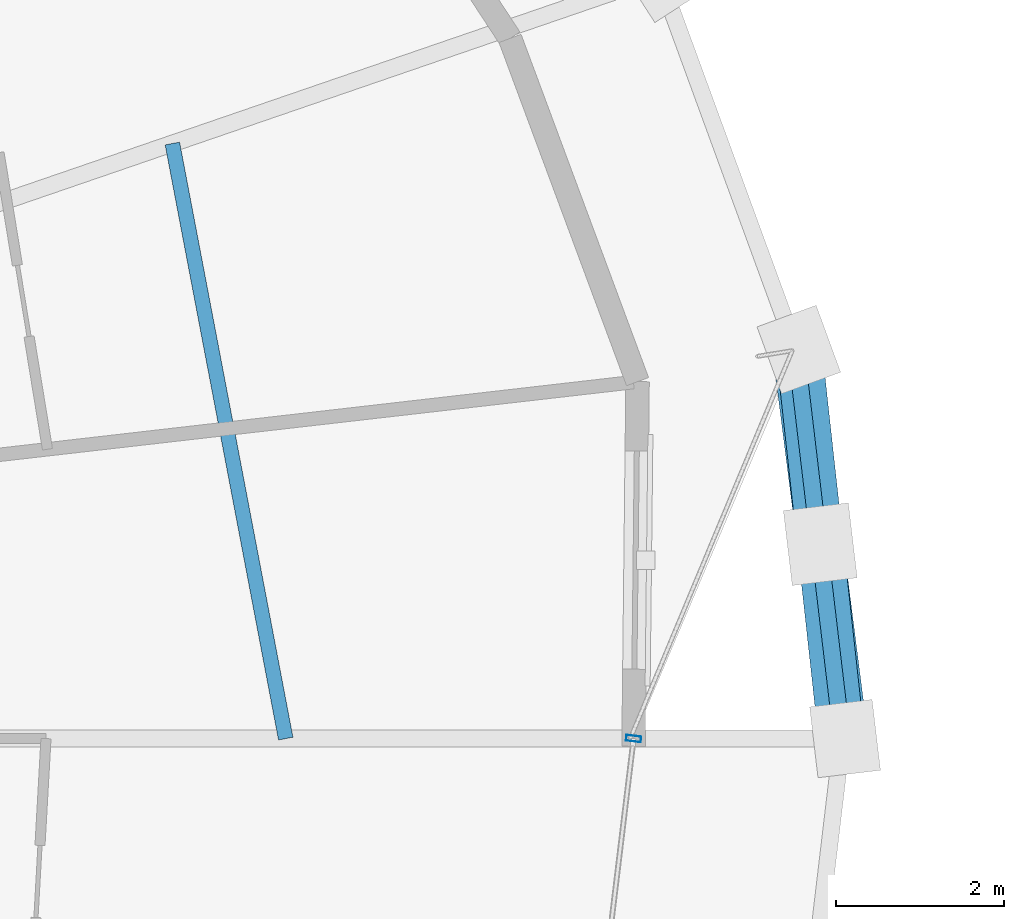
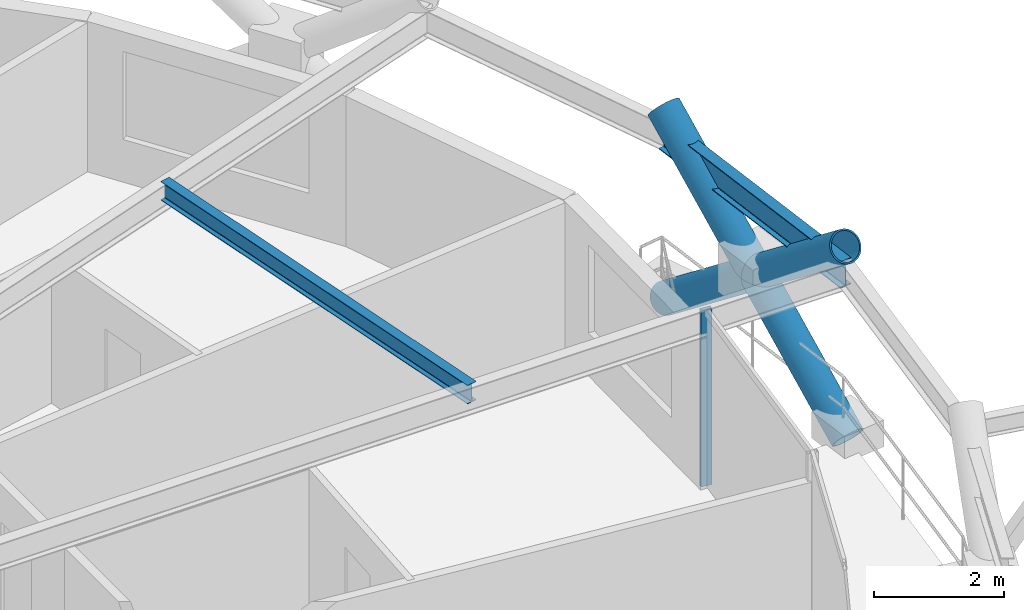
# One storey, part 11 of 21: 4 members, 2 beams, 1 element without a shape of its own.
"""IFC4 building model written with IfcOpenShell, lengths in metres."""

import ifcopenshell
import ifcopenshell.guid

model = None  # the IFC model being written
_history = None  # IfcOwnerHistory: only IFC2X3 demands one
_inside = {}  # id of a spatial element -> (the spatial element, [elements in it])
_under = {}  # id of a project, library or spatial element -> (it, [spatial elements below it])
_declared = {}  # id of a project -> (the project, [libraries it declares])
_typed = {}  # id of a type object -> (the type object, [elements of that type])
_made_of = {}  # id of a material, layer set ... -> (it, [elements and type objects made of it])


def new_model(schema):
    """Start an empty IFC model of exactly this schema.

    Asked for "IFC4X3", IfcOpenShell would pick the latest addendum, in which some entities
    have other attributes; the version numbers below select the first issue.
    IFC2X3 requires an IfcOwnerHistory on every rooted entity: one is made here for all.
    """
    global model, _history
    if schema == "IFC4X3":
        model = ifcopenshell.file(schema_version=(4, 3, 0, 0))
    else:
        model = ifcopenshell.file(schema=schema)
    _inside.clear()
    _under.clear()
    _declared.clear()
    _typed.clear()
    _made_of.clear()
    _history = None
    if model.schema == "IFC2X3":
        org = make("IfcOrganization", Name="unknown")
        user = make(
            "IfcPersonAndOrganization",
            ThePerson=make("IfcPerson", FamilyName="unknown"),
            TheOrganization=org,
        )
        app = make(
            "IfcApplication",
            ApplicationDeveloper=org,
            Version="unknown",
            ApplicationFullName="unknown",
            ApplicationIdentifier="unknown",
        )
        _history = make(
            "IfcOwnerHistory",
            OwningUser=user,
            OwningApplication=app,
            ChangeAction="ADDED",
            CreationDate=0,
        )
    return model


def make(cls, **values):
    """One entity of the class cls with the attributes given. An attribute that is None is left unset."""
    return model.create_entity(
        cls, **{name: value for name, value in values.items() if value is not None}
    )


def rooted(cls, **values):
    """An entity with a GlobalId (a new one), such as an element, a storey or a relation."""
    return make(cls, GlobalId=ifcopenshell.guid.new(), OwnerHistory=_history, **values)


def si_unit(unit_type, name, prefix=None):
    """IfcSIUnit, for example si_unit("LENGTHUNIT", "METRE", prefix="MILLI")."""
    return make("IfcSIUnit", UnitType=unit_type, Prefix=prefix, Name=name)


def assignment(units):
    """IfcUnitAssignment: the units of a project."""
    return None if units is None else make("IfcUnitAssignment", Units=units)


def point(xyz):
    """IfcCartesianPoint."""
    return None if xyz is None else make("IfcCartesianPoint", Coordinates=xyz)


def direction(xyz):
    """IfcDirection."""
    return None if xyz is None else make("IfcDirection", DirectionRatios=xyz)


def frame(location, z_axis=None, x_axis=None):
    """IfcAxis2Placement3D, a coordinate frame: its origin and axes. An axis left out is left unset."""
    return make(
        "IfcAxis2Placement3D",
        Location=point(location),
        Axis=direction(z_axis),
        RefDirection=direction(x_axis),
    )


def frame_2d(location, x_axis=None):
    """IfcAxis2Placement2D, a coordinate frame in the plane: its origin and x axis."""
    return make(
        "IfcAxis2Placement2D", Location=point(location), RefDirection=direction(x_axis)
    )


def origin():
    """The frame at (0, 0, 0) with its axes left unset."""
    return frame((0.0, 0.0, 0.0))


def origin_2d():
    """The frame at (0, 0) in the plane with its x axis left unset."""
    return frame_2d((0.0, 0.0))


def place(relative_to, where):
    """IfcLocalPlacement: puts the frame where relative to a parent placement (None: the world)."""
    return make(
        "IfcLocalPlacement", PlacementRelTo=relative_to, RelativePlacement=where
    )


def context(
    kind, dimensions, precision=None, world=None, true_north=None, identifier=None
):
    """IfcGeometricRepresentationContext, for example the 3D "Model" context."""
    return make(
        "IfcGeometricRepresentationContext",
        ContextIdentifier=identifier,
        ContextType=kind,
        CoordinateSpaceDimension=dimensions,
        Precision=precision,
        WorldCoordinateSystem=world,
        TrueNorth=true_north,
    )


def subcontext(parent, identifier, kind, view, scale=None):
    """IfcGeometricRepresentationSubContext, for example "Body" below "Model"."""
    return make(
        "IfcGeometricRepresentationSubContext",
        ContextIdentifier=identifier,
        ContextType=kind,
        ParentContext=parent,
        TargetScale=scale,
        TargetView=view,
    )


def project(units=None, contexts=None):
    """IfcProject with its units and contexts."""
    return rooted(
        "IfcProject",
        Name="project",
        RepresentationContexts=contexts,
        UnitsInContext=assignment(units),
    )


def spatial(cls, under=None, at=None, **own):
    """A site, building, storey or space (cls), placed at a placement, below another one or the project."""
    s = rooted(cls, ObjectPlacement=at, **own)
    if under is not None:
        _under.setdefault(under.id(), (under, []))[1].append(s)
    return s


def profile(cls, at=None, kind="AREA", **sizes):
    """A parametric profile (cls). Its sizes go by their IFC names, for example OverallWidth=200.0."""
    return make(cls, ProfileType=kind, Position=at, **sizes)


def hollow_rectangle(**sizes):
    """IfcRectangleHollowProfileDef."""
    return profile("IfcRectangleHollowProfileDef", **sizes)


def hollow_circle(**sizes):
    """IfcCircleHollowProfileDef."""
    return profile("IfcCircleHollowProfileDef", **sizes)


def i_section(**sizes):
    """IfcIShapeProfileDef."""
    return profile("IfcIShapeProfileDef", **sizes)


def extrude(swept, where, along, depth):
    """IfcExtrudedAreaSolid: the profile swept, set in the frame where, extruded along a direction by depth."""
    return make(
        "IfcExtrudedAreaSolid",
        SweptArea=swept,
        Position=where,
        ExtrudedDirection=direction(along),
        Depth=depth,
    )


def shape(context_of_items, identifier, shape_type, items):
    """IfcShapeRepresentation: the items that make up one representation, for example the "Body"."""
    return make(
        "IfcShapeRepresentation",
        ContextOfItems=context_of_items,
        RepresentationIdentifier=identifier,
        RepresentationType=shape_type,
        Items=items,
    )


def material(Name=None, Category=None):
    """IfcMaterial."""
    return make("IfcMaterial", Name=Name, Category=Category)


def layer(
    of_material, thickness, ventilated=None, Name=None, Category=None, Priority=None
):
    """IfcMaterialLayer: one layer of a wall or slab, of a material (None: an air gap)."""
    return make(
        "IfcMaterialLayer",
        Material=of_material,
        LayerThickness=thickness,
        IsVentilated=ventilated,
        Name=Name,
        Category=Category,
        Priority=Priority,
    )


def layer_set(layers, Name=None):
    """IfcMaterialLayerSet."""
    return make("IfcMaterialLayerSet", MaterialLayers=layers, LayerSetName=Name)


def material_profile(
    of_material, cross_section, Name=None, Category=None, Priority=None
):
    """IfcMaterialProfile: a cross section and its material."""
    return make(
        "IfcMaterialProfile",
        Name=Name,
        Material=of_material,
        Profile=cross_section,
        Priority=Priority,
        Category=Category,
    )


def profile_set(profiles, Name=None, composite=None):
    """IfcMaterialProfileSet."""
    return make(
        "IfcMaterialProfileSet",
        Name=Name,
        MaterialProfiles=profiles,
        CompositeProfile=composite,
    )


def made_of(thing, what):
    """Note that an element or type object is made of a material, layer set ...; save() writes the relation."""
    if what is not None:
        _made_of.setdefault(what.id(), (what, []))[1].append(thing)
    return thing


def type_object(cls, material=None, **own):
    """A type object (cls), such as IfcWallType, which elements share."""
    return made_of(rooted(cls, **own), material)


def element(
    cls,
    number,
    at=None,
    inside=None,
    cuts=None,
    type_object=None,
    material=None,
    context=None,
    identifier="Body",
    shape_type=None,
    held_by="IfcProductDefinitionShape",
    body=None,
    shapes=None,
    **own,
):
    """One element of the class cls, such as IfcWall. Its Tag is "e" and its number.

    at: its placement. inside: the storey or other place that contains it. cuts: it is an
    opening in that element (IfcRelVoidsElement). A single representation is given by context,
    identifier, shape_type and body (its items); several are given by shapes. held_by: the class
    of the entity that holds the representations. save() writes the other relations.
    """
    e = rooted(cls, Tag="e%d" % number, ObjectPlacement=at, **own)
    if body is not None:
        shapes = [shape(context, identifier, shape_type, body)]
    if shapes is not None:
        e.Representation = make(held_by, Representations=shapes)
    if inside is not None:
        _inside.setdefault(inside.id(), (inside, []))[1].append(e)
    if cuts is not None:
        rooted(
            "IfcRelVoidsElement", RelatingBuildingElement=cuts, RelatedOpeningElement=e
        )
    if type_object is not None:
        _typed.setdefault(type_object.id(), (type_object, []))[1].append(e)
    return made_of(e, material)


def aggregate(whole, parts):
    """IfcRelAggregates: a whole, such as a stair, and the parts it consists of."""
    return rooted("IfcRelAggregates", RelatingObject=whole, RelatedObjects=parts)


def save(model, path):
    """Write the relations noted so far, then the file.

    IfcRelAggregates (storeys below a building ...), IfcRelContainedInSpatialStructure (elements
    in a storey), IfcRelDefinesByType, IfcRelAssociatesMaterial and IfcRelDeclares: one each for
    every whole, place, type object, material and project.
    """
    for whole, parts in _under.values():
        aggregate(whole, parts)
    for where, things in _inside.values():
        rooted(
            "IfcRelContainedInSpatialStructure",
            RelatedElements=things,
            RelatingStructure=where,
        )
    for kind, things in _typed.values():
        rooted("IfcRelDefinesByType", RelatedObjects=things, RelatingType=kind)
    for what, things in _made_of.values():
        rooted("IfcRelAssociatesMaterial", RelatedObjects=things, RelatingMaterial=what)
    for by, libraries in _declared.values():
        rooted("IfcRelDeclares", RelatingContext=by, RelatedDefinitions=libraries)
    model.write(path)


model = new_model("IFC4")

# Units and contexts
model_context = context("Model", 3, precision=1e-05, world=origin(), true_north=direction((0.0, 1.0)))
body_context = subcontext(model_context, "Body", "Model", "MODEL_VIEW")
ifc_project = project(units=[si_unit("LENGTHUNIT", "METRE"), si_unit("AREAUNIT", "SQUARE_METRE"), si_unit("VOLUMEUNIT", "CUBIC_METRE"), si_unit("PLANEANGLEUNIT", "RADIAN"), si_unit("MASSUNIT", "GRAM", prefix="KILO")], contexts=[model_context])

# Site, building, storey
site_placement = place(None, origin())
site = spatial("IfcSite", under=ifc_project, at=site_placement, CompositionType="ELEMENT")
building_placement = place(site_placement, origin())
building = spatial("IfcBuilding", under=site, at=building_placement, Name="Veldorina Hangang Commons", CompositionType="ELEMENT")
storey_placement = place(building_placement, frame((0.0, 0.0, 120.800048828125)))
storey = spatial("IfcBuildingStorey", under=building, at=storey_placement, Name="L30", CompositionType="ELEMENT", Elevation=120.800048828125)

# Beams
ifc_material_1 = material(Name="Steel SM355-TMC", Category="steel")
ifc_material_profile_1 = material_profile(ifc_material_1, i_section(OverallWidth=0.175048828125, OverallDepth=0.35009765625, WebThickness=0.007080078125, FlangeThickness=0.010986328125, FilletRadius=0.012939453125, at=origin_2d()), Name="H-350x175x7x11")
ifc_profile_set_1 = profile_set([ifc_material_profile_1], Name="Steel SM355-TMC")
beam_type_1 = type_object("IfcBeamType", Name="BM-JST350", PredefinedType="JOIST", material=ifc_profile_set_1)
beam_1_placement = place(storey_placement, frame((54.00048828125, 24.0, 3.175048828125), z_axis=(-0.187160275912, 0.982329390337, 0.0), x_axis=(-0.982329390337, -0.187160275912, 0.0)))
element("IfcBeam", 1, at=beam_1_placement, inside=storey, type_object=beam_type_1, Name="L30 secondary floor joist 01", PredefinedType="JOIST", context=body_context, shape_type="SweptSolid", body=[
    extrude(i_section(OverallWidth=0.175048828125, OverallDepth=0.35009765625, WebThickness=0.007080078125, FlangeThickness=0.010986328125, FilletRadius=0.012939453125, at=origin_2d()), origin(), (0.0, 0.0, 1.0), 7.22021484375),
])
ifc_material_2 = material(Name="Steel SM420-TMC", Category="steel")
ifc_material_profile_2 = material_profile(ifc_material_2, i_section(OverallWidth=0.199951171875, OverallDepth=0.5, WebThickness=0.010009765625, FlangeThickness=0.01611328125, FilletRadius=0.01611328125, at=origin_2d()), Name="H-500x200x10x16")
ifc_profile_set_2 = profile_set([ifc_material_profile_2], Name="Steel SM420-TMC")
beam_type_2 = type_object("IfcBeamType", Name="BM-RB500", PredefinedType="BEAM", material=ifc_profile_set_2)
beam_2_placement = place(storey_placement, frame((60.632080078125, 24.0, 3.099853515625), z_axis=(-0.117919214174, 0.993023191536, 0.0), x_axis=(-0.993023191536, -0.117919214174, 0.0)))
element("IfcBeam", 2, at=beam_2_placement, inside=storey, type_object=beam_type_2, Name="L30 perimeter hoop ring beam 00", PredefinedType="BEAM", context=body_context, shape_type="SweptSolid", body=[
    extrude(i_section(OverallWidth=0.199951171875, OverallDepth=0.5, WebThickness=0.010009765625, FlangeThickness=0.01611328125, FilletRadius=0.01611328125, at=origin_2d()), origin(), (0.0, 0.0, 1.0), 4.66455078125),
])

# Curtain wall, member
ifc_material_3 = material(Name="Glass Low-E Triple IGU", Category="glass")
ifc_layer = layer(ifc_material_3, 0.179931640625)
ifc_layer_set = layer_set([ifc_layer], Name="Glass Low-E Triple IGU")
curtain_wall_type = type_object("IfcCurtainWallType", Name="CW-SYS-Z2", PredefinedType="NOTDEFINED", material=ifc_layer_set)
curtain_wall_placement = place(storey_placement, origin())
curtain_wall = element("IfcCurtainWall", 3, at=curtain_wall_placement, inside=storey, type_object=curtain_wall_type, Name="L30 unitised curtain wall CW-L30-R2", PredefinedType="NOTDEFINED")
ifc_material_4 = material(Name="Aluminium Anodized AA6063-T6", Category="aluminium")
ifc_material_profile_3 = material_profile(ifc_material_4, hollow_rectangle(XDim=0.070068359375, YDim=0.179931640625, WallThickness=0.00390625, at=origin_2d()), Name="ALU-RHS-180x70x4")
ifc_profile_set_3 = profile_set([ifc_material_profile_3], Name="Aluminium Anodized AA6063-T6")
member_type_1 = type_object("IfcMemberType", Name="CW-MUL-180", PredefinedType="MULLION", material=ifc_profile_set_3)
member_1_placement = place(storey_placement, frame((58.14697265625, 24.0, 0.0), z_axis=(0.0, 0.0, 1.0), x_axis=(-0.120327432347, -0.992734259016, 0.0)))
member_1 = element("IfcMember", 4, at=member_1_placement, type_object=member_type_1, Name="CW-L30-R2 vertical mullion 4", PredefinedType="MULLION", context=body_context, shape_type="SweptSolid", body=[
    extrude(hollow_rectangle(XDim=0.070068359375, YDim=0.179931640625, WallThickness=0.00390625, at=origin_2d()), origin(), (0.0, 0.0, 1.0), 3.31005859375),
])
aggregate(curtain_wall, [member_1])

# Members
ifc_material_profile_4 = material_profile(ifc_material_2, hollow_circle(Radius=0.27490234375, WallThickness=0.028076171875, at=origin_2d()), Name="CHS-550x28")
ifc_profile_set_4 = profile_set([ifc_material_profile_4], Name="Steel SM420-TMC")
member_type_2 = type_object("IfcMemberType", Name="DG-CHS550", PredefinedType="BRACE", material=ifc_profile_set_4)
member_2_placement = place(storey_placement, frame((60.6669921875, 24.0, 0.0), z_axis=(-0.100177050438, 0.785555382292, 0.610628610464), x_axis=(-0.9919666819, -0.12649941502, 0.0)))
element("IfcMember", 5, at=member_2_placement, inside=storey, type_object=member_type_2, Name="L30 continuous perimeter diagrid brace 00", PredefinedType="BRACE", context=body_context, shape_type="SweptSolid", body=[
    extrude(hollow_circle(Radius=0.27490234375, WallThickness=0.028076171875, at=origin_2d()), origin(), (0.0, 0.0, 1.0), 5.895263671875),
])
member_3_placement = place(storey_placement, frame((60.1162109375, 28.63671875, 0.0), z_axis=(0.086626261682, -0.786924224191, 0.610938749932), x_axis=(0.993995484512, 0.109421098379, 0.0)))
element("IfcMember", 6, at=member_3_placement, inside=storey, type_object=member_type_2, Name="L30 split perimeter diagrid lower brace 01", PredefinedType="BRACE", context=body_context, shape_type="SweptSolid", body=[
    extrude(hollow_circle(Radius=0.27490234375, WallThickness=0.028076171875, at=origin_2d()), origin(), (0.0, 0.0, 1.0), 2.947998046875),
])
member_4_placement = place(storey_placement, frame((60.37158203125, 26.31689453125, 1.801025390625), z_axis=(0.086651289664, -0.786909798003, 0.610953782054), x_axis=(0.993991827277, 0.10945431607, 0.0)))
element("IfcMember", 7, at=member_4_placement, inside=storey, type_object=member_type_2, Name="L30 split perimeter diagrid upper brace 01", PredefinedType="BRACE", context=body_context, shape_type="SweptSolid", body=[
    extrude(hollow_circle(Radius=0.27490234375, WallThickness=0.028076171875, at=origin_2d()), origin(), (0.0, 0.0, 1.0), 2.9443359375),
])

save(model, "model.ifc")
